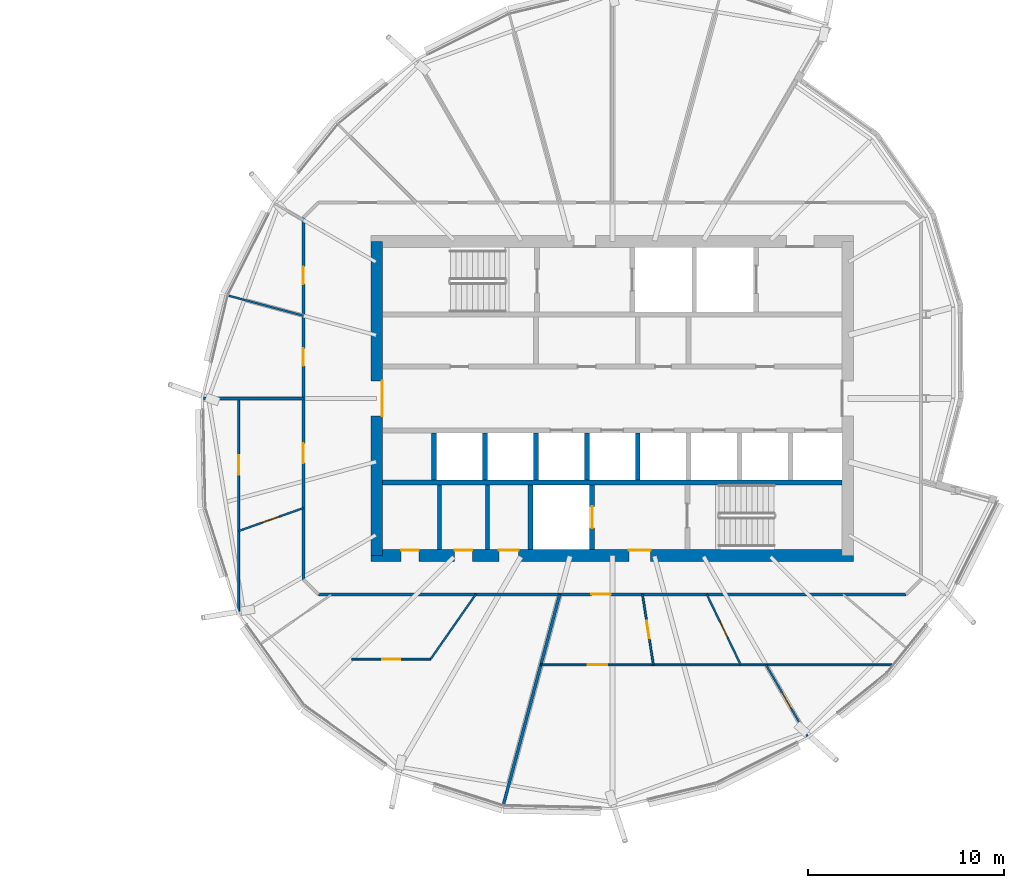
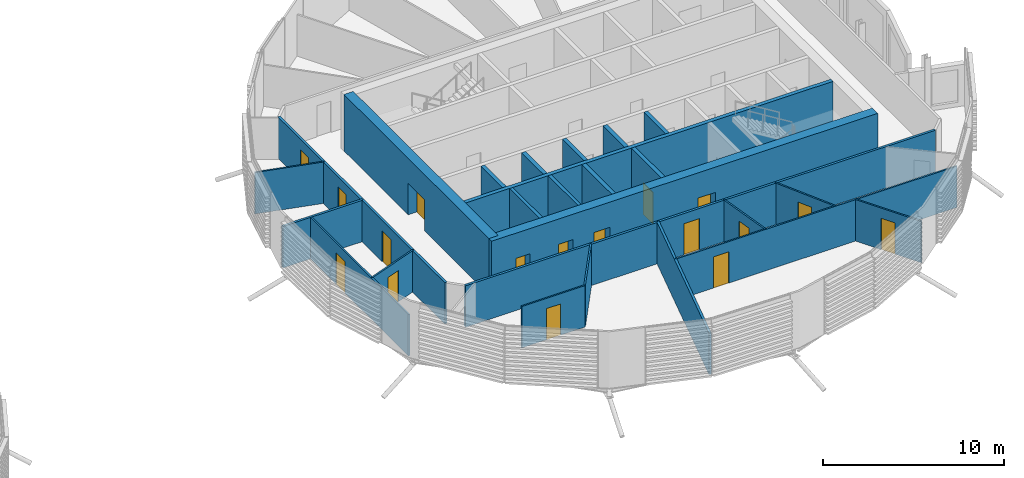
# One storey, part 21 of 36: 26 walls, 17 doors, 17 openings.
"""IFC4 building model written with IfcOpenShell, lengths in metres."""

from ifc_helpers import new_model, si_unit, direction, frame, frame_2d, origin, place, context, subcontext, project, spatial, rectangle, extrude, material, layer, layer_set, type_object, element, fill, save


model = new_model("IFC4")

# Units and contexts
model_context = context("Model", 3, precision=1e-05, world=origin(), true_north=direction((0.0, 1.0)))
body_context = subcontext(model_context, "Body", "Model", "MODEL_VIEW")
ifc_project = project(units=[si_unit("LENGTHUNIT", "METRE"), si_unit("AREAUNIT", "SQUARE_METRE"), si_unit("VOLUMEUNIT", "CUBIC_METRE"), si_unit("PLANEANGLEUNIT", "RADIAN"), si_unit("MASSUNIT", "GRAM", prefix="KILO")], contexts=[model_context])

# Site, building, storey
site_placement = place(None, origin())
site = spatial("IfcSite", under=ifc_project, at=site_placement, CompositionType="ELEMENT")
building_placement = place(site_placement, origin())
building = spatial("IfcBuilding", under=site, at=building_placement, Name="Rimbun Link Towers", CompositionType="ELEMENT")
storey_placement = place(building_placement, frame((0.0, 0.0, 174.10009765625)))
storey = spatial("IfcBuildingStorey", under=building, at=storey_placement, Name="L42", CompositionType="ELEMENT", Elevation=174.10009765625)

# Walls
ifc_material_1 = material(Name="Masonry blockwork", Category="masonry")
ifc_layer_1 = layer(ifc_material_1, 0.199951171875)
ifc_layer_set_1 = layer_set([ifc_layer_1], Name="Core partition 200")
wall_type_1 = type_object("IfcWallType", Name="Core partition 200", PredefinedType="PARTITIONING", material=ifc_layer_set_1)
for number, where, z_axis, x_axis, name in (
    (1, (22.949951171875, -4.39990234375, 0.0), (0.0, 0.0, 1.0), (0.0, -1.0, 0.0), "L42 T2 core wall C1"),
    (2, (25.39990234375, -4.39990234375, 0.0), (0.0, 0.0, 1.0), (0.0, -1.0, 0.0), "L42 T2 core wall C2"),
):
    element("IfcWall", number, at=place(storey_placement, frame(where, z_axis=z_axis, x_axis=x_axis)), inside=storey, type_object=wall_type_1, Name=name, PredefinedType="PARTITIONING", context=body_context, shape_type="SweptSolid", body=[
        extrude(rectangle(XDim=3.300048828125, YDim=0.199951171875, at=frame_2d((1.64990234375, 0.0))), origin(), (0.0, 0.0, 1.0), 3.7998046875),
    ])

# Wall, openings, doors
ifc_material_2 = material(Name="Concrete C60/75", Category="concrete")
ifc_layer_2 = layer(ifc_material_2, 0.60009765625)
ifc_layer_set_2 = layer_set([ifc_layer_2], Name="Core shear wall 600")
wall_type_2 = type_object("IfcWallType", Name="Core shear wall 600", PredefinedType="SHEAR", material=ifc_layer_set_2)
wall_1_placement = place(storey_placement, frame((19.449951171875, -8.0, 0.0), z_axis=(0.0, 0.0, 1.0), x_axis=(1.0, 0.0, 0.0)))
wall_1 = element("IfcWall", 3, at=wall_1_placement, inside=storey, type_object=wall_type_2, Name="L42 T2 core wall S", PredefinedType="SHEAR", context=body_context, shape_type="SweptSolid", body=[
    extrude(rectangle(XDim=24.60009765625, YDim=0.60009765625, at=frame_2d((12.300048828125, 0.0))), origin(), (0.0, 0.0, 1.0), 3.7998046875),
])
opening_1_placement = place(wall_1_placement, frame((13.14990234375, 0.0, 0.0)))
opening_1 = element("IfcOpeningElement", 4, at=opening_1_placement, cuts=wall_1, Name="Opening C2DCF01S", PredefinedType="OPENING", context=body_context, shape_type="SweptSolid", body=[
    extrude(rectangle(XDim=1.10009765625, YDim=2.10009765625, at=frame_2d((0.550048828125, 1.050048828125))), frame((0.0, 0.31005859375, 0.0), z_axis=(0.0, -1.0, 0.0), x_axis=(1.0, 0.0, 0.0)), (0.0, 0.0, 1.0), 0.6201171875),
])
opening_2_placement = place(wall_1_placement, frame((1.550048828125, 0.0, 0.0)))
opening_2 = element("IfcOpeningElement", 5, at=opening_2_placement, cuts=wall_1, Name="Opening C2DWC02S", PredefinedType="OPENING", context=body_context, shape_type="SweptSolid", body=[
    extrude(rectangle(XDim=0.89990234375, YDim=2.10009765625, at=frame_2d((0.449951171875, 1.050048828125))), frame((0.0, 0.31005859375, 0.0), z_axis=(0.0, -1.0, 0.0), x_axis=(1.0, 0.0, 0.0)), (0.0, 0.0, 1.0), 0.6201171875),
])
opening_3_placement = place(wall_1_placement, frame((4.27490234375, 0.0, 0.0)))
opening_3 = element("IfcOpeningElement", 6, at=opening_3_placement, cuts=wall_1, Name="Opening C2DWC03S", PredefinedType="OPENING", context=body_context, shape_type="SweptSolid", body=[
    extrude(rectangle(XDim=0.89990234375, YDim=2.10009765625, at=frame_2d((0.449951171875, 1.050048828125))), frame((0.0, 0.31005859375, 0.0), z_axis=(0.0, -1.0, 0.0), x_axis=(1.0, 0.0, 0.0)), (0.0, 0.0, 1.0), 0.6201171875),
])
opening_4_placement = place(wall_1_placement, frame((6.52490234375, 0.0, 0.0)))
opening_4 = element("IfcOpeningElement", 7, at=opening_4_placement, cuts=wall_1, Name="Opening C2DAW04S", PredefinedType="OPENING", context=body_context, shape_type="SweptSolid", body=[
    extrude(rectangle(XDim=1.0, YDim=2.10009765625, at=frame_2d((0.5, 1.050048828125))), frame((0.0, 0.31005859375, 0.0), z_axis=(0.0, -1.0, 0.0), x_axis=(1.0, 0.0, 0.0)), (0.0, 0.0, 1.0), 0.6201171875),
])
ifc_material_3 = material(Name="Timber", Category="wood")
door_type_1 = type_object("IfcDoorType", Name="Accessible WC door", OperationType="SINGLE_SWING_LEFT", PredefinedType="DOOR", material=ifc_material_3)
door_1_placement = place(opening_4_placement, origin())
door_1 = element("IfcDoor", 8, at=door_1_placement, inside=storey, type_object=door_type_1, Name="L42 T2 accessible wc door", OperationType="SINGLE_SWING_RIGHT", OverallHeight=2.10009765625, OverallWidth=1.0, PredefinedType="DOOR", context=body_context, shape_type="SweptSolid", body=[
    extrude(rectangle(XDim=1.0, YDim=2.10009765625, at=frame_2d((0.5, 1.050048828125))), frame((0.0, 0.2998046875, 0.0), z_axis=(0.0, -1.0, 0.0), x_axis=(1.0, 0.0, 0.0)), (0.0, 0.0, 1.0), 0.050048828125),
])
fill(opening_4, door_1)
ifc_material_4 = material(Name="Steel fire door set", Category="steel")
door_type_2 = type_object("IfcDoorType", Name="Core fire door single", OperationType="SINGLE_SWING_LEFT", PredefinedType="DOOR", material=ifc_material_4)
door_2_placement = place(opening_1_placement, origin())
door_2 = element("IfcDoor", 9, at=door_2_placement, inside=storey, type_object=door_type_2, Name="L42 T2 firefighting lobby s door", OperationType="SINGLE_SWING_RIGHT", OverallHeight=2.10009765625, OverallWidth=1.10009765625, PredefinedType="DOOR", context=body_context, shape_type="SweptSolid", body=[
    extrude(rectangle(XDim=1.10009765625, YDim=2.10009765625, at=frame_2d((0.550048828125, 1.050048828125))), frame((0.0, 0.2998046875, 0.0), z_axis=(0.0, -1.0, 0.0), x_axis=(1.0, 0.0, 0.0)), (0.0, 0.0, 1.0), 0.050048828125),
])
fill(opening_1, door_2)
ifc_material_5 = material(Name="Timber", Category="wood")
door_type_3 = type_object("IfcDoorType", Name="WC door", OperationType="SINGLE_SWING_LEFT", PredefinedType="DOOR", material=ifc_material_5)
door_3_placement = place(opening_2_placement, origin())
door_3 = element("IfcDoor", 10, at=door_3_placement, inside=storey, type_object=door_type_3, Name="L42 T2 male wc door", OperationType="SINGLE_SWING_RIGHT", OverallHeight=2.10009765625, OverallWidth=0.89990234375, PredefinedType="DOOR", context=body_context, shape_type="SweptSolid", body=[
    extrude(rectangle(XDim=0.89990234375, YDim=2.10009765625, at=frame_2d((0.449951171875, 1.050048828125))), frame((0.0, 0.2998046875, 0.0), z_axis=(0.0, -1.0, 0.0), x_axis=(1.0, 0.0, 0.0)), (0.0, 0.0, 1.0), 0.050048828125),
])
fill(opening_2, door_3)
door_4_placement = place(opening_3_placement, origin())
door_4 = element("IfcDoor", 11, at=door_4_placement, inside=storey, type_object=door_type_3, Name="L42 T2 female wc door", OperationType="SINGLE_SWING_RIGHT", OverallHeight=2.10009765625, OverallWidth=0.89990234375, PredefinedType="DOOR", context=body_context, shape_type="SweptSolid", body=[
    extrude(rectangle(XDim=0.89990234375, YDim=2.10009765625, at=frame_2d((0.449951171875, 1.050048828125))), frame((0.0, 0.2998046875, 0.0), z_axis=(0.0, -1.0, 0.0), x_axis=(1.0, 0.0, 0.0)), (0.0, 0.0, 1.0), 0.050048828125),
])
fill(opening_3, door_4)

# Wall, opening, door
wall_2_placement = place(storey_placement, frame((19.75, -8.0, 0.0), z_axis=(0.0, 0.0, 1.0), x_axis=(0.0, 1.0, 0.0)))
wall_2 = element("IfcWall", 12, at=wall_2_placement, inside=storey, type_object=wall_type_2, Name="L42 T2 core wall W", PredefinedType="SHEAR", context=body_context, shape_type="SweptSolid", body=[
    extrude(rectangle(XDim=16.0, YDim=0.60009765625, at=frame_2d((8.0, 0.0))), origin(), (0.0, 0.0, 1.0), 3.7998046875),
])
opening_5_placement = place(wall_2_placement, frame((7.10009765625, 0.0, 0.0)))
opening_5 = element("IfcOpeningElement", 13, at=opening_5_placement, cuts=wall_2, Name="Opening C2DCL01W", PredefinedType="OPENING", context=body_context, shape_type="SweptSolid", body=[
    extrude(rectangle(XDim=1.800048828125, YDim=2.10009765625, at=frame_2d((0.89990234375, 1.050048828125))), frame((0.0, 0.31005859375, 0.0), z_axis=(0.0, -1.0, 0.0), x_axis=(1.0, 0.0, 0.0)), (0.0, 0.0, 1.0), 0.6201171875),
])
ifc_material_6 = material(Name="Steel fire door set", Category="steel")
door_type_4 = type_object("IfcDoorType", Name="Core lobby door double", OperationType="DOUBLE_DOOR_SINGLE_SWING", PredefinedType="DOOR", material=ifc_material_6)
door_5_placement = place(opening_5_placement, origin())
door_5 = element("IfcDoor", 14, at=door_5_placement, inside=storey, type_object=door_type_4, Name="L42 T2 lift lobby door", OperationType="DOUBLE_DOOR_SINGLE_SWING", OverallHeight=2.10009765625, OverallWidth=1.800048828125, PredefinedType="DOOR", context=body_context, shape_type="SweptSolid", body=[
    extrude(rectangle(XDim=1.800048828125, YDim=2.10009765625, at=frame_2d((0.89990234375, 1.050048828125))), frame((0.0, -0.25, 0.0), z_axis=(0.0, -1.0, 0.0), x_axis=(1.0, 0.0, 0.0)), (0.0, 0.0, 1.0), 0.050048828125),
])
fill(opening_5, door_5)

ifc_material_7 = material(Name="Plasterboard on steel stud, mineral wool", Category="steel")
ifc_layer_3 = layer(ifc_material_7, 0.14990234375)
ifc_layer_set_3 = layer_set([ifc_layer_3], Name="Corridor wall EI 30 150 mm")
wall_type_3 = type_object("IfcWallType", Name="Corridor wall EI 30 150 mm", PredefinedType="PARTITIONING", material=ifc_layer_set_3)
wall_3_placement = place(storey_placement, frame((46.7236328125, -9.97509765625, 0.0), z_axis=(0.0, 0.0, 1.0), x_axis=(-1.0, 0.0, 0.0)))
wall_3 = element("IfcWall", 15, at=wall_3_placement, inside=storey, type_object=wall_type_3, Name="Corridor wall EI 30 150 mm", PredefinedType="PARTITIONING", context=body_context, shape_type="SweptSolid", body=[
    extrude(rectangle(XDim=29.947265625, YDim=0.14990234375, at=frame_2d((14.9736328125, 0.0))), origin(), (0.0, 0.0, 1.0), 2.788818359375),
])
opening_6_placement = place(wall_3_placement, frame((15.04052734375, 0.0, 0.0)))
opening_6 = element("IfcOpeningElement", 16, at=opening_6_placement, cuts=wall_3, Name="Opening D01", PredefinedType="OPENING", context=body_context, shape_type="SweptSolid", body=[
    extrude(rectangle(XDim=1.0, YDim=2.10009765625, at=frame_2d((0.5, 1.050048828125))), frame((0.0, 0.0849609375, 0.0), z_axis=(0.0, -1.0, 0.0), x_axis=(1.0, 0.0, 0.0)), (0.0, 0.0, 1.0), 0.169921875),
])
ifc_material_8 = material(Name="Fire-resisting timber door leaf", Category="wood")
door_type_5 = type_object("IfcDoorType", Name="Fire door FD30S 1000", OperationType="NOTDEFINED", PredefinedType="DOOR", material=ifc_material_8)
door_6_placement = place(opening_6_placement, origin())
door_6 = element("IfcDoor", 17, at=door_6_placement, inside=storey, type_object=door_type_5, Name="Fire door FD30S 1000 to Tenant lobby", OperationType="SINGLE_SWING_RIGHT", OverallHeight=2.10009765625, OverallWidth=1.0, PredefinedType="DOOR", context=body_context, shape_type="SweptSolid", body=[
    extrude(rectangle(XDim=1.0, YDim=2.10009765625, at=frame_2d((0.5, 1.050048828125))), frame((0.0, 0.02490234375, 0.0), z_axis=(0.0, -1.0, 0.0), x_axis=(1.0, 0.0, 0.0)), (0.0, 0.0, 1.0), 0.050048828125),
])
fill(opening_6, door_6)

# Wall, openings, doors
wall_4_placement = place(storey_placement, frame((16.014892578125, -9.213623046875, 0.0), z_axis=(0.0, 0.0, 1.0), x_axis=(0.0, 1.0, 0.0)))
wall_4 = element("IfcWall", 18, at=wall_4_placement, inside=storey, type_object=wall_type_3, Name="Corridor wall EI 30 150 mm", PredefinedType="PARTITIONING", context=body_context, shape_type="SweptSolid", body=[
    extrude(rectangle(XDim=18.42724609375, YDim=0.14990234375, at=frame_2d((9.213623046875, 0.0))), origin(), (0.0, 0.0, 1.0), 2.788818359375),
])
opening_7_placement = place(wall_4_placement, frame((15.036865234375, 0.0, 0.0)))
opening_7 = element("IfcOpeningElement", 19, at=opening_7_placement, cuts=wall_4, Name="Opening D02", PredefinedType="OPENING", context=body_context, shape_type="SweptSolid", body=[
    extrude(rectangle(XDim=0.89990234375, YDim=2.10009765625, at=frame_2d((0.449951171875, 1.050048828125))), frame((0.0, 0.0849609375, 0.0), z_axis=(0.0, -1.0, 0.0), x_axis=(1.0, 0.0, 0.0)), (0.0, 0.0, 1.0), 0.169921875),
])
opening_8_placement = place(wall_4_placement, frame((10.871826171875, 0.0, 0.0)))
opening_8 = element("IfcOpeningElement", 20, at=opening_8_placement, cuts=wall_4, Name="Opening D02", PredefinedType="OPENING", context=body_context, shape_type="SweptSolid", body=[
    extrude(rectangle(XDim=0.89990234375, YDim=2.10009765625, at=frame_2d((0.449951171875, 1.050048828125))), frame((0.0, 0.0849609375, 0.0), z_axis=(0.0, -1.0, 0.0), x_axis=(1.0, 0.0, 0.0)), (0.0, 0.0, 1.0), 0.169921875),
])
opening_9_placement = place(wall_4_placement, frame((5.922607421875, 0.0, 0.0)))
opening_9 = element("IfcOpeningElement", 21, at=opening_9_placement, cuts=wall_4, Name="Opening D01", PredefinedType="OPENING", context=body_context, shape_type="SweptSolid", body=[
    extrude(rectangle(XDim=1.0, YDim=2.10009765625, at=frame_2d((0.5, 1.050048828125))), frame((0.0, 0.0849609375, 0.0), z_axis=(0.0, -1.0, 0.0), x_axis=(1.0, 0.0, 0.0)), (0.0, 0.0, 1.0), 0.169921875),
])
door_7_placement = place(opening_9_placement, origin())
door_7 = element("IfcDoor", 22, at=door_7_placement, inside=storey, type_object=door_type_5, Name="Fire door FD30S 1000 to Tenant lobby", OperationType="SINGLE_SWING_LEFT", OverallHeight=2.10009765625, OverallWidth=1.0, PredefinedType="DOOR", context=body_context, shape_type="SweptSolid", body=[
    extrude(rectangle(XDim=1.0, YDim=2.10009765625, at=frame_2d((0.5, 1.050048828125))), frame((0.0, 0.02490234375, 0.0), z_axis=(0.0, -1.0, 0.0), x_axis=(1.0, 0.0, 0.0)), (0.0, 0.0, 1.0), 0.050048828125),
])
fill(opening_9, door_7)
ifc_material_9 = material(Name="Fire-resisting timber door leaf", Category="wood")
door_type_6 = type_object("IfcDoorType", Name="Fire door FD30S 900", OperationType="NOTDEFINED", PredefinedType="DOOR", material=ifc_material_9)
door_8_placement = place(opening_7_placement, origin())
door_8 = element("IfcDoor", 23, at=door_8_placement, inside=storey, type_object=door_type_6, Name="Fire door FD30S 900 to Communications room", OperationType="SINGLE_SWING_LEFT", OverallHeight=2.10009765625, OverallWidth=0.89990234375, PredefinedType="DOOR", context=body_context, shape_type="SweptSolid", body=[
    extrude(rectangle(XDim=0.89990234375, YDim=2.10009765625, at=frame_2d((0.449951171875, 1.050048828125))), frame((0.0, 0.02490234375, 0.0), z_axis=(0.0, -1.0, 0.0), x_axis=(1.0, 0.0, 0.0)), (0.0, 0.0, 1.0), 0.050048828125),
])
fill(opening_7, door_8)
door_9_placement = place(opening_8_placement, origin())
door_9 = element("IfcDoor", 24, at=door_9_placement, inside=storey, type_object=door_type_6, Name="Fire door FD30S 900 to Trading floor", OperationType="SINGLE_SWING_RIGHT", OverallHeight=2.10009765625, OverallWidth=0.89990234375, PredefinedType="DOOR", context=body_context, shape_type="SweptSolid", body=[
    extrude(rectangle(XDim=0.89990234375, YDim=2.10009765625, at=frame_2d((0.449951171875, 1.050048828125))), frame((0.0, 0.02490234375, 0.0), z_axis=(0.0, -1.0, 0.0), x_axis=(1.0, 0.0, 0.0)), (0.0, 0.0, 1.0), 0.050048828125),
])
fill(opening_8, door_9)

# Wall
ifc_material_10 = material(Name="Plasterboard on steel stud", Category="steel")
ifc_layer_4 = layer(ifc_material_10, 0.10009765625)
ifc_layer_set_4 = layer_set([ifc_layer_4], Name="Plasterboard partition 100 mm")
wall_type_4 = type_object("IfcWallType", Name="Plasterboard partition 100 mm", PredefinedType="PARTITIONING", material=ifc_layer_set_4)
wall_5_placement = place(storey_placement, frame((12.17138671875, 5.24609375, 0.0), z_axis=(0.0, 0.0, 1.0), x_axis=(0.965915458572, -0.258857734848, 0.0)))
element("IfcWall", 25, at=wall_5_placement, inside=storey, type_object=wall_type_4, Name="Plasterboard partition 100 mm", PredefinedType="PARTITIONING", context=body_context, shape_type="SweptSolid", body=[
    extrude(rectangle(XDim=3.979248046875, YDim=0.10009765625, at=frame_2d((1.98974609375, 0.0))), origin(), (0.0, 0.0, 1.0), 2.788818359375),
])

# Wall, opening, door
wall_6_placement = place(storey_placement, frame((16.014892578125, -5.582275390625, 0.0), z_axis=(0.0, 0.0, 1.0), x_axis=(-0.942427745481, -0.334409845171, 0.0)))
wall_6 = element("IfcWall", 26, at=wall_6_placement, inside=storey, type_object=wall_type_4, Name="Plasterboard partition 100 mm", PredefinedType="PARTITIONING", context=body_context, shape_type="SweptSolid", body=[
    extrude(rectangle(XDim=3.50146484375, YDim=0.10009765625, at=frame_2d((1.750732421875, 0.0))), origin(), (0.0, 0.0, 1.0), 2.788818359375),
])
opening_10_placement = place(wall_6_placement, frame((1.30078125, 0.0, 0.0)))
opening_10 = element("IfcOpeningElement", 27, at=opening_10_placement, cuts=wall_6, Name="Opening D04", PredefinedType="OPENING", context=body_context, shape_type="SweptSolid", body=[
    extrude(rectangle(XDim=0.89990234375, YDim=2.10009765625, at=frame_2d((0.449951171875, 1.050048828125))), frame((0.0, 0.06005859375, 0.0), z_axis=(0.0, -1.0, 0.0), x_axis=(1.0, 0.0, 0.0)), (0.0, 0.0, 1.0), 0.1201171875),
])
ifc_material_11 = material(Name="Timber door leaf", Category="wood")
door_type_7 = type_object("IfcDoorType", Name="Flush door 900", OperationType="NOTDEFINED", PredefinedType="DOOR", material=ifc_material_11)
door_10_placement = place(opening_10_placement, origin())
door_10 = element("IfcDoor", 28, at=door_10_placement, inside=storey, type_object=door_type_7, Name="Flush door 900 to Huddle room", OperationType="SINGLE_SWING_RIGHT", OverallHeight=2.10009765625, OverallWidth=0.89990234375, PredefinedType="DOOR", context=body_context, shape_type="SweptSolid", body=[
    extrude(rectangle(XDim=0.89990234375, YDim=2.10009765625, at=frame_2d((0.449951171875, 1.050048828125))), frame((0.0, 0.02490234375, 0.0), z_axis=(0.0, -1.0, 0.0), x_axis=(1.0, 0.0, 0.0)), (0.0, 0.0, 1.0), 0.050048828125),
])
fill(opening_10, door_10)

wall_7_placement = place(storey_placement, frame((12.715087890625, -10.852294921875, 0.0), z_axis=(0.0, 0.0, 1.0), x_axis=(0.0, 1.0, 0.0)))
wall_7 = element("IfcWall", 29, at=wall_7_placement, inside=storey, type_object=wall_type_4, Name="Plasterboard partition 100 mm", PredefinedType="PARTITIONING", context=body_context, shape_type="SweptSolid", body=[
    extrude(rectangle(XDim=10.852294921875, YDim=0.10009765625, at=frame_2d((5.42626953125, 0.0))), origin(), (0.0, 0.0, 1.0), 2.788818359375),
])
opening_11_placement = place(wall_7_placement, frame((6.960693359375, 0.0, 0.0)))
opening_11 = element("IfcOpeningElement", 30, at=opening_11_placement, cuts=wall_7, Name="Opening D03", PredefinedType="OPENING", context=body_context, shape_type="SweptSolid", body=[
    extrude(rectangle(XDim=1.0, YDim=2.10009765625, at=frame_2d((0.5, 1.050048828125))), frame((0.0, 0.06005859375, 0.0), z_axis=(0.0, -1.0, 0.0), x_axis=(1.0, 0.0, 0.0)), (0.0, 0.0, 1.0), 0.1201171875),
])
ifc_material_12 = material(Name="Timber door leaf", Category="wood")
door_type_8 = type_object("IfcDoorType", Name="Flush door 1000", OperationType="NOTDEFINED", PredefinedType="DOOR", material=ifc_material_12)
door_11_placement = place(opening_11_placement, origin())
door_11 = element("IfcDoor", 31, at=door_11_placement, inside=storey, type_object=door_type_8, Name="Flush door 1000 to Open office", OperationType="SINGLE_SWING_LEFT", OverallHeight=2.10009765625, OverallWidth=1.0, PredefinedType="DOOR", context=body_context, shape_type="SweptSolid", body=[
    extrude(rectangle(XDim=1.0, YDim=2.10009765625, at=frame_2d((0.5, 1.050048828125))), frame((0.0, 0.02490234375, 0.0), z_axis=(0.0, -1.0, 0.0), x_axis=(1.0, 0.0, 0.0)), (0.0, 0.0, 1.0), 0.050048828125),
])
fill(opening_11, door_11)

wall_8_placement = place(storey_placement, frame((22.49853515625, -13.27490234375, 0.0), z_axis=(0.0, 0.0, 1.0), x_axis=(-1.0, 0.0, 0.0)))
wall_8 = element("IfcWall", 32, at=wall_8_placement, inside=storey, type_object=wall_type_4, Name="Plasterboard partition 100 mm", PredefinedType="PARTITIONING", context=body_context, shape_type="SweptSolid", body=[
    extrude(rectangle(XDim=4.0234375, YDim=0.10009765625, at=frame_2d((2.01171875, 0.0))), origin(), (0.0, 0.0, 1.0), 2.788818359375),
])
opening_12_placement = place(wall_8_placement, frame((1.561767578125, 0.0, 0.0)))
opening_12 = element("IfcOpeningElement", 33, at=opening_12_placement, cuts=wall_8, Name="Opening D04", PredefinedType="OPENING", context=body_context, shape_type="SweptSolid", body=[
    extrude(rectangle(XDim=0.89990234375, YDim=2.10009765625, at=frame_2d((0.449951171875, 1.050048828125))), frame((0.0, 0.06005859375, 0.0), z_axis=(0.0, -1.0, 0.0), x_axis=(1.0, 0.0, 0.0)), (0.0, 0.0, 1.0), 0.1201171875),
])
door_12_placement = place(opening_12_placement, origin())
door_12 = element("IfcDoor", 34, at=door_12_placement, inside=storey, type_object=door_type_7, Name="Flush door 900 to Project room", OperationType="SINGLE_SWING_RIGHT", OverallHeight=2.10009765625, OverallWidth=0.89990234375, PredefinedType="DOOR", context=body_context, shape_type="SweptSolid", body=[
    extrude(rectangle(XDim=0.89990234375, YDim=2.10009765625, at=frame_2d((0.449951171875, 1.050048828125))), frame((0.0, 0.02490234375, 0.0), z_axis=(0.0, -1.0, 0.0), x_axis=(1.0, 0.0, 0.0)), (0.0, 0.0, 1.0), 0.050048828125),
])
fill(opening_12, door_12)

# Wall
wall_9_placement = place(storey_placement, frame((22.49853515625, -13.27490234375, 0.0), z_axis=(0.0, 0.0, 1.0), x_axis=(0.571782757762, 0.820405069418, 0.0)))
element("IfcWall", 35, at=wall_9_placement, inside=storey, type_object=wall_type_4, Name="Plasterboard partition 100 mm", PredefinedType="PARTITIONING", context=body_context, shape_type="SweptSolid", body=[
    extrude(rectangle(XDim=4.022216796875, YDim=0.10009765625, at=frame_2d((2.01123046875, 0.0))), origin(), (0.0, 0.0, 1.0), 2.788818359375),
])

# Wall, opening, door
wall_10_placement = place(storey_placement, frame((33.2890625, -9.97509765625, 0.0), z_axis=(0.0, 0.0, 1.0), x_axis=(0.152485287228, -0.98830574074, 0.0)))
wall_10 = element("IfcWall", 36, at=wall_10_placement, inside=storey, type_object=wall_type_4, Name="Plasterboard partition 100 mm", PredefinedType="PARTITIONING", context=body_context, shape_type="SweptSolid", body=[
    extrude(rectangle(XDim=3.642333984375, YDim=0.10009765625, at=frame_2d((1.8212890625, 0.0))), origin(), (0.0, 0.0, 1.0), 2.788818359375),
])
opening_13_placement = place(wall_10_placement, frame((1.371337890625, 0.0, 0.0)))
opening_13 = element("IfcOpeningElement", 37, at=opening_13_placement, cuts=wall_10, Name="Opening D04", PredefinedType="OPENING", context=body_context, shape_type="SweptSolid", body=[
    extrude(rectangle(XDim=0.89990234375, YDim=2.10009765625, at=frame_2d((0.449951171875, 1.050048828125))), frame((0.0, 0.06005859375, 0.0), z_axis=(0.0, -1.0, 0.0), x_axis=(1.0, 0.0, 0.0)), (0.0, 0.0, 1.0), 0.1201171875),
])
door_13_placement = place(opening_13_placement, origin())
door_13 = element("IfcDoor", 38, at=door_13_placement, inside=storey, type_object=door_type_7, Name="Flush door 900 to Huddle room", OperationType="SINGLE_SWING_RIGHT", OverallHeight=2.10009765625, OverallWidth=0.89990234375, PredefinedType="DOOR", context=body_context, shape_type="SweptSolid", body=[
    extrude(rectangle(XDim=0.89990234375, YDim=2.10009765625, at=frame_2d((0.449951171875, 1.050048828125))), frame((0.0, 0.02490234375, 0.0), z_axis=(0.0, -1.0, 0.0), x_axis=(1.0, 0.0, 0.0)), (0.0, 0.0, 1.0), 0.050048828125),
])
fill(opening_13, door_13)

wall_11_placement = place(storey_placement, frame((39.58740234375, -13.574951171875, 0.0), z_axis=(0.0, 0.0, 1.0), x_axis=(-1.0, 0.0, 0.0)))
wall_11 = element("IfcWall", 39, at=wall_11_placement, inside=storey, type_object=wall_type_4, Name="Plasterboard partition 100 mm", PredefinedType="PARTITIONING", context=body_context, shape_type="SweptSolid", body=[
    extrude(rectangle(XDim=11.474853515625, YDim=0.10009765625, at=frame_2d((5.7373046875, 0.0))), origin(), (0.0, 0.0, 1.0), 2.788818359375),
])
opening_14_placement = place(wall_11_placement, frame((8.093994140625, 0.0, 0.0)))
opening_14 = element("IfcOpeningElement", 40, at=opening_14_placement, cuts=wall_11, Name="Opening D03", PredefinedType="OPENING", context=body_context, shape_type="SweptSolid", body=[
    extrude(rectangle(XDim=1.0, YDim=2.10009765625, at=frame_2d((0.5, 1.050048828125))), frame((0.0, 0.06005859375, 0.0), z_axis=(0.0, -1.0, 0.0), x_axis=(1.0, 0.0, 0.0)), (0.0, 0.0, 1.0), 0.1201171875),
])
door_14_placement = place(opening_14_placement, origin())
door_14 = element("IfcDoor", 41, at=door_14_placement, inside=storey, type_object=door_type_8, Name="Flush door 1000 to Open office", OperationType="SINGLE_SWING_LEFT", OverallHeight=2.10009765625, OverallWidth=1.0, PredefinedType="DOOR", context=body_context, shape_type="SweptSolid", body=[
    extrude(rectangle(XDim=1.0, YDim=2.10009765625, at=frame_2d((0.5, 1.050048828125))), frame((0.0, 0.02490234375, 0.0), z_axis=(0.0, -1.0, 0.0), x_axis=(1.0, 0.0, 0.0)), (0.0, 0.0, 1.0), 0.050048828125),
])
fill(opening_14, door_14)

wall_12_placement = place(storey_placement, frame((36.561279296875, -9.97509765625, 0.0), z_axis=(0.0, 0.0, 1.0), x_axis=(0.434487689798, -0.900677771133, 0.0)))
wall_12 = element("IfcWall", 42, at=wall_12_placement, inside=storey, type_object=wall_type_4, Name="Plasterboard partition 100 mm", PredefinedType="PARTITIONING", context=body_context, shape_type="SweptSolid", body=[
    extrude(rectangle(XDim=3.996826171875, YDim=0.10009765625, at=frame_2d((1.99853515625, 0.0))), origin(), (0.0, 0.0, 1.0), 2.788818359375),
])
opening_15_placement = place(wall_12_placement, frame((1.548583984375, 0.0, 0.0)))
opening_15 = element("IfcOpeningElement", 43, at=opening_15_placement, cuts=wall_12, Name="Opening D04", PredefinedType="OPENING", context=body_context, shape_type="SweptSolid", body=[
    extrude(rectangle(XDim=0.89990234375, YDim=2.10009765625, at=frame_2d((0.449951171875, 1.050048828125))), frame((0.0, 0.06005859375, 0.0), z_axis=(0.0, -1.0, 0.0), x_axis=(1.0, 0.0, 0.0)), (0.0, 0.0, 1.0), 0.1201171875),
])
door_15_placement = place(opening_15_placement, origin())
door_15 = element("IfcDoor", 44, at=door_15_placement, inside=storey, type_object=door_type_7, Name="Flush door 900 to Huddle room", OperationType="SINGLE_SWING_LEFT", OverallHeight=2.10009765625, OverallWidth=0.89990234375, PredefinedType="DOOR", context=body_context, shape_type="SweptSolid", body=[
    extrude(rectangle(XDim=0.89990234375, YDim=2.10009765625, at=frame_2d((0.449951171875, 1.050048828125))), frame((0.0, 0.02490234375, 0.0), z_axis=(0.0, -1.0, 0.0), x_axis=(1.0, 0.0, 0.0)), (0.0, 0.0, 1.0), 0.050048828125),
])
fill(opening_15, door_15)

# Wall
wall_13_placement = place(storey_placement, frame((39.58740234375, -13.574951171875, 0.0), z_axis=(0.0, 0.0, 1.0), x_axis=(1.0, 0.0, 0.0)))
element("IfcWall", 45, at=wall_13_placement, inside=storey, type_object=wall_type_4, Name="Plasterboard partition 100 mm", PredefinedType="PARTITIONING", context=body_context, shape_type="SweptSolid", body=[
    extrude(rectangle(XDim=6.442138671875, YDim=0.10009765625, at=frame_2d((3.22119140625, 0.0))), origin(), (0.0, 0.0, 1.0), 2.788818359375),
])

# Wall, opening, door
wall_14_placement = place(storey_placement, frame((39.58740234375, -13.574951171875, 0.0), z_axis=(0.0, 0.0, 1.0), x_axis=(0.500025366346, -0.866010758022, 0.0)))
wall_14 = element("IfcWall", 46, at=wall_14_placement, inside=storey, type_object=wall_type_4, Name="Plasterboard partition 100 mm", PredefinedType="PARTITIONING", context=body_context, shape_type="SweptSolid", body=[
    extrude(rectangle(XDim=4.209228515625, YDim=0.10009765625, at=frame_2d((2.1044921875, 0.0))), origin(), (0.0, 0.0, 1.0), 2.788818359375),
])
opening_16_placement = place(wall_14_placement, frame((1.654541015625, 0.0, 0.0)))
opening_16 = element("IfcOpeningElement", 47, at=opening_16_placement, cuts=wall_14, Name="Opening D04", PredefinedType="OPENING", context=body_context, shape_type="SweptSolid", body=[
    extrude(rectangle(XDim=0.89990234375, YDim=2.10009765625, at=frame_2d((0.449951171875, 1.050048828125))), frame((0.0, 0.06005859375, 0.0), z_axis=(0.0, -1.0, 0.0), x_axis=(1.0, 0.0, 0.0)), (0.0, 0.0, 1.0), 0.1201171875),
])
door_16_placement = place(opening_16_placement, origin())
door_16 = element("IfcDoor", 48, at=door_16_placement, inside=storey, type_object=door_type_7, Name="Flush door 900 to Project room", OperationType="SINGLE_SWING_RIGHT", OverallHeight=2.10009765625, OverallWidth=0.89990234375, PredefinedType="DOOR", context=body_context, shape_type="SweptSolid", body=[
    extrude(rectangle(XDim=0.89990234375, YDim=2.10009765625, at=frame_2d((0.449951171875, 1.050048828125))), frame((0.0, 0.02490234375, 0.0), z_axis=(0.0, -1.0, 0.0), x_axis=(1.0, 0.0, 0.0)), (0.0, 0.0, 1.0), 0.050048828125),
])
fill(opening_16, door_16)

# Walls
ifc_material_13 = material(Name="Concrete C60/75", Category="concrete")
ifc_layer_5 = layer(ifc_material_13, 0.25)
ifc_layer_set_5 = layer_set([ifc_layer_5], Name="Shaft wall 250")
wall_type_5 = type_object("IfcWallType", Name="Shaft wall 250", PredefinedType="SHEAR", material=ifc_layer_set_5)
wall_15_placement = place(storey_placement, frame((20.050048828125, -4.27490234375, 0.0), z_axis=(0.0, 0.0, 1.0), x_axis=(1.0, 0.0, 0.0)))
element("IfcWall", 49, at=wall_15_placement, inside=storey, type_object=wall_type_5, Name="L42 T2 core wall BS", PredefinedType="SHEAR", context=body_context, shape_type="SweptSolid", body=[
    extrude(rectangle(XDim=23.39990234375, YDim=0.25, at=frame_2d((11.699951171875, 0.0))), origin(), (0.0, 0.0, 1.0), 3.7998046875),
])
for number, where, z_axis, x_axis, name in (
    (50, (22.66943359375, -4.14990234375, 0.0), (0.0, 0.0, 1.0), (0.0, 1.0, 0.0), "L42 T2 core wall DS0"),
    (51, (25.263916015625, -4.14990234375, 0.0), (0.0, 0.0, 1.0), (0.0, 1.0, 0.0), "L42 T2 core wall DS1"),
    (52, (27.8583984375, -4.14990234375, 0.0), (0.0, 0.0, 1.0), (0.0, 1.0, 0.0), "L42 T2 core wall DS2"),
    (53, (30.452880859375, -4.14990234375, 0.0), (0.0, 0.0, 1.0), (0.0, 1.0, 0.0), "L42 T2 core wall DS3"),
    (54, (33.047119140625, -4.14990234375, 0.0), (0.0, 0.0, 1.0), (0.0, 1.0, 0.0), "L42 T2 core wall DS4"),
):
    element("IfcWall", number, at=place(storey_placement, frame(where, z_axis=z_axis, x_axis=x_axis)), inside=storey, type_object=wall_type_5, Name=name, PredefinedType="SHEAR", context=body_context, shape_type="SweptSolid", body=[
        extrude(rectangle(XDim=2.39990234375, YDim=0.25, at=frame_2d((1.199951171875, 0.0))), origin(), (0.0, 0.0, 1.0), 3.7998046875),
    ])

# Wall, opening, door
wall_16_placement = place(storey_placement, frame((30.72509765625, -4.39990234375, 0.0), z_axis=(0.0, 0.0, 1.0), x_axis=(0.0, -1.0, 0.0)))
wall_16 = element("IfcWall", 55, at=wall_16_placement, inside=storey, type_object=wall_type_5, Name="L42 T2 core wall B2", PredefinedType="SHEAR", context=body_context, shape_type="SweptSolid", body=[
    extrude(rectangle(XDim=3.300048828125, YDim=0.25, at=frame_2d((1.64990234375, 0.0))), origin(), (0.0, 0.0, 1.0), 3.7998046875),
])
opening_17_placement = place(wall_16_placement, frame((1.10009765625, 0.0, 0.0)))
opening_17 = element("IfcOpeningElement", 56, at=opening_17_placement, cuts=wall_16, Name="Opening LD-T2-FF2", PredefinedType="OPENING", context=body_context, shape_type="SweptSolid", body=[
    extrude(rectangle(XDim=1.10009765625, YDim=2.10009765625, at=frame_2d((0.550048828125, 1.050048828125))), frame((0.0, 0.135009765625, 0.0), z_axis=(0.0, -1.0, 0.0), x_axis=(1.0, 0.0, 0.0)), (0.0, 0.0, 1.0), 0.27001953125),
])
ifc_material_14 = material(Name="Stainless steel grade 316", Category="steel")
door_type_9 = type_object("IfcDoorType", Name="Lift landing door", OperationType="DOUBLE_DOOR_SLIDING", PredefinedType="DOOR", material=ifc_material_14)
door_17_placement = place(opening_17_placement, origin())
door_17 = element("IfcDoor", 57, at=door_17_placement, inside=storey, type_object=door_type_9, Name="L42 T2 lift FF2 landing door", OperationType="DOUBLE_DOOR_SLIDING", OverallHeight=2.10009765625, OverallWidth=1.10009765625, PredefinedType="DOOR", context=body_context, shape_type="SweptSolid", body=[
    extrude(rectangle(XDim=1.10009765625, YDim=2.10009765625, at=frame_2d((0.550048828125, 1.050048828125))), frame((0.0, 0.02490234375, 0.0), z_axis=(0.0, -1.0, 0.0), x_axis=(1.0, 0.0, 0.0)), (0.0, 0.0, 1.0), 0.050048828125),
])
fill(opening_17, door_17)

# Walls
wall_17_placement = place(storey_placement, frame((27.574951171875, -4.39990234375, 0.0), z_axis=(0.0, 0.0, 1.0), x_axis=(0.0, -1.0, 0.0)))
element("IfcWall", 58, at=wall_17_placement, inside=storey, type_object=wall_type_5, Name="L42 T2 core wall B3", PredefinedType="SHEAR", context=body_context, shape_type="SweptSolid", body=[
    extrude(rectangle(XDim=3.300048828125, YDim=0.25, at=frame_2d((1.64990234375, 0.0))), origin(), (0.0, 0.0, 1.0), 3.7998046875),
])
ifc_material_15 = material(Name="Plasterboard on steel stud, mineral wool", Category="steel")
ifc_layer_6 = layer(ifc_material_15, 0.14990234375)
ifc_layer_set_6 = layer_set([ifc_layer_6], Name="Tenancy separation wall EI 60 150 mm")
wall_type_6 = type_object("IfcWallType", Name="Tenancy separation wall EI 60 150 mm", PredefinedType="PARTITIONING", material=ifc_layer_set_6)
wall_18_placement = place(storey_placement, frame((16.014892578125, 0.0, 0.0), z_axis=(0.0, 0.0, 1.0), x_axis=(-1.0, 0.0, 0.0)))
element("IfcWall", 59, at=wall_18_placement, inside=storey, type_object=wall_type_6, Name="Tenancy separation wall EI 60 150 mm", PredefinedType="PARTITIONING", context=body_context, shape_type="SweptSolid", body=[
    extrude(rectangle(XDim=5.097900390625, YDim=0.14990234375, at=frame_2d((2.548828125, 0.0))), origin(), (0.0, 0.0, 1.0), 2.788818359375),
])
wall_19_placement = place(storey_placement, frame((29.0771484375, -9.97509765625, 0.0), z_axis=(0.0, 0.0, 1.0), x_axis=(-0.258804856252, -0.965929628068, 0.0)))
element("IfcWall", 60, at=wall_19_placement, inside=storey, type_object=wall_type_6, Name="Tenancy separation wall EI 60 150 mm", PredefinedType="PARTITIONING", context=body_context, shape_type="SweptSolid", body=[
    extrude(rectangle(XDim=11.1201171875, YDim=0.14990234375, at=frame_2d((5.56005859375, 0.0))), origin(), (0.0, 0.0, 1.0), 2.788818359375),
])

save(model, "model.ifc")
